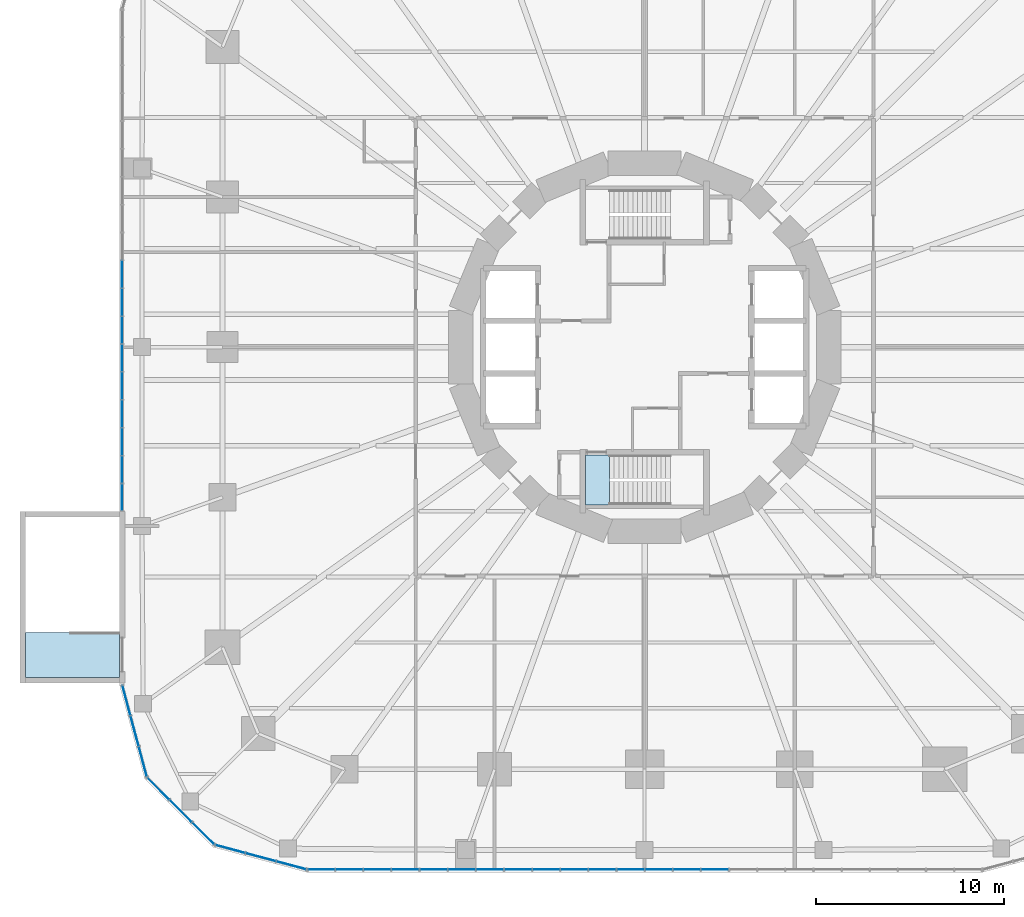
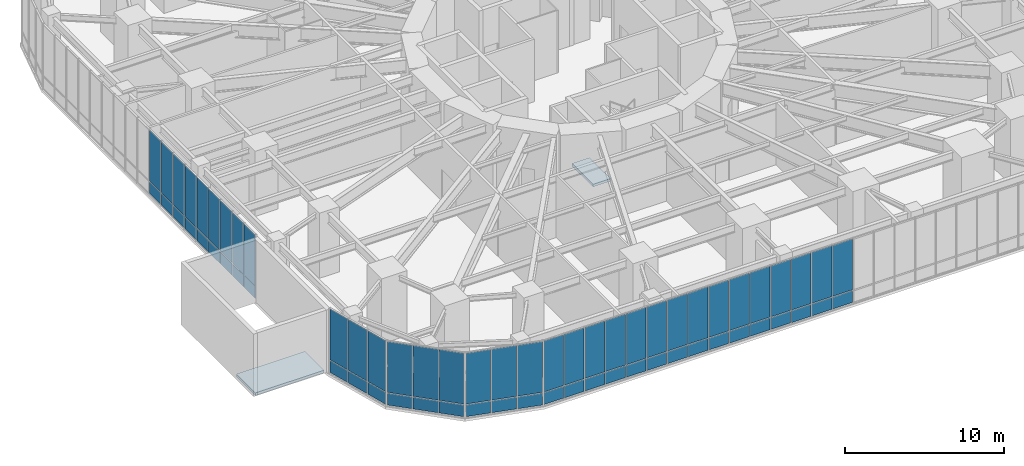
# One storey, part 17 of 24: 66 plates, 2 slabs, 6 elements without a shape of their own.
"""IFC4 building model written with IfcOpenShell, lengths in metres."""

from ifc_helpers import new_model, si_unit, direction, frame, origin, origin_2d, place, context, subcontext, project, spatial, polyline, rectangle, outline, extrude, material, layer, layer_set, type_object, element, aggregate, save


model = new_model("IFC4")

# Units and contexts
model_context = context("Model", 3, precision=1e-05, world=origin(), true_north=direction((0.0, 1.0)))
body_context = subcontext(model_context, "Body", "Model", "MODEL_VIEW")
ifc_project = project(units=[si_unit("LENGTHUNIT", "METRE"), si_unit("AREAUNIT", "SQUARE_METRE"), si_unit("VOLUMEUNIT", "CUBIC_METRE"), si_unit("PLANEANGLEUNIT", "RADIAN"), si_unit("MASSUNIT", "GRAM", prefix="KILO")], contexts=[model_context])

# Site, building, storey
site_placement = place(None, origin())
site = spatial("IfcSite", under=ifc_project, at=site_placement, CompositionType="ELEMENT")
building_placement = place(site_placement, origin())
building = spatial("IfcBuilding", under=site, at=building_placement, Name="Nakasero Lantern House", CompositionType="ELEMENT")
storey_placement = place(building_placement, frame((0.0, 0.0, 11.0)))
storey = spatial("IfcBuildingStorey", under=building, at=storey_placement, Name="L02", CompositionType="ELEMENT", Elevation=11.0)

# Curtain wall, plates
ifc_material_1 = material(Name="Aluminium 6063-T6 and glass", Category="aluminium")
curtain_wall_type = type_object("IfcCurtainWallType", Name="Podium curtain wall CW-2", PredefinedType="USERDEFINED", material=ifc_material_1)
curtain_wall_1_placement = place(storey_placement, origin())
curtain_wall_1 = element("IfcCurtainWall", 1, at=curtain_wall_1_placement, inside=storey, type_object=curtain_wall_type, Name="Curtain wall CW-2 L02", ObjectType="STICK CURTAIN WALL", PredefinedType="USERDEFINED")
ifc_material_2 = material(Name="Glass", Category="glass")
ifc_layer_1 = layer(ifc_material_2, 0.028076171875)
ifc_layer_set_1 = layer_set([ifc_layer_1], Name="Glazed panel CW-2")
plate_type = type_object("IfcPlateType", Name="Glazed panel CW-2", PredefinedType="CURTAIN_PANEL", material=ifc_layer_set_1)
plate_1_placement = place(storey_placement, frame((-27.85009765625, 3.8818359375, 0.06005859375), z_axis=(0.0, 0.0, 1.0), x_axis=(0.0, -1.0, 0.0)))
plate_1 = element("IfcPlate", 2, at=plate_1_placement, type_object=plate_type, Name="CW-2 panel 10.1", PredefinedType="CURTAIN_PANEL", context=body_context, shape_type="SweptSolid", body=[
    extrude(rectangle(XDim=1.426025390625, YDim=0.028076171875, at=origin_2d()), origin(), (0.0, 0.0, 1.0), 0.909912109375),
])
plate_2_placement = place(storey_placement, frame((-27.85009765625, 3.8818359375, 1.0302734375), z_axis=(0.0, 0.0, 1.0), x_axis=(0.0, -1.0, 0.0)))
plate_2 = element("IfcPlate", 3, at=plate_2_placement, type_object=plate_type, Name="CW-2 panel 10.2", PredefinedType="CURTAIN_PANEL", context=body_context, shape_type="SweptSolid", body=[
    extrude(rectangle(XDim=1.426025390625, YDim=0.028076171875, at=origin_2d()), origin(), (0.0, 0.0, 1.0), 3.909912109375),
])
plate_3_placement = place(storey_placement, frame((-27.85009765625, 2.395751953125, 0.06005859375), z_axis=(0.0, 0.0, 1.0), x_axis=(0.0, -1.0, 0.0)))
plate_3 = element("IfcPlate", 4, at=plate_3_placement, type_object=plate_type, Name="CW-2 panel 11.1", PredefinedType="CURTAIN_PANEL", context=body_context, shape_type="SweptSolid", body=[
    extrude(rectangle(XDim=1.426025390625, YDim=0.028076171875, at=origin_2d()), origin(), (0.0, 0.0, 1.0), 0.909912109375),
])
plate_4_placement = place(storey_placement, frame((-27.85009765625, 2.395751953125, 1.0302734375), z_axis=(0.0, 0.0, 1.0), x_axis=(0.0, -1.0, 0.0)))
plate_4 = element("IfcPlate", 5, at=plate_4_placement, type_object=plate_type, Name="CW-2 panel 11.2", PredefinedType="CURTAIN_PANEL", context=body_context, shape_type="SweptSolid", body=[
    extrude(rectangle(XDim=1.426025390625, YDim=0.028076171875, at=origin_2d()), origin(), (0.0, 0.0, 1.0), 3.909912109375),
])
plate_5_placement = place(storey_placement, frame((-27.85009765625, 0.90966796875, 0.06005859375), z_axis=(0.0, 0.0, 1.0), x_axis=(0.0, -1.0, 0.0)))
plate_5 = element("IfcPlate", 6, at=plate_5_placement, type_object=plate_type, Name="CW-2 panel 12.1", PredefinedType="CURTAIN_PANEL", context=body_context, shape_type="SweptSolid", body=[
    extrude(rectangle(XDim=1.426025390625, YDim=0.028076171875, at=origin_2d()), origin(), (0.0, 0.0, 1.0), 0.909912109375),
])
plate_6_placement = place(storey_placement, frame((-27.85009765625, 0.90966796875, 1.0302734375), z_axis=(0.0, 0.0, 1.0), x_axis=(0.0, -1.0, 0.0)))
plate_6 = element("IfcPlate", 7, at=plate_6_placement, type_object=plate_type, Name="CW-2 panel 12.2", PredefinedType="CURTAIN_PANEL", context=body_context, shape_type="SweptSolid", body=[
    extrude(rectangle(XDim=1.426025390625, YDim=0.028076171875, at=origin_2d()), origin(), (0.0, 0.0, 1.0), 3.909912109375),
])
plate_7_placement = place(storey_placement, frame((-27.85009765625, -0.576416015625, 0.06005859375), z_axis=(0.0, 0.0, 1.0), x_axis=(0.0, -1.0, 0.0)))
plate_7 = element("IfcPlate", 8, at=plate_7_placement, type_object=plate_type, Name="CW-2 panel 13.1", PredefinedType="CURTAIN_PANEL", context=body_context, shape_type="SweptSolid", body=[
    extrude(rectangle(XDim=1.426025390625, YDim=0.028076171875, at=origin_2d()), origin(), (0.0, 0.0, 1.0), 0.909912109375),
])
plate_8_placement = place(storey_placement, frame((-27.85009765625, -0.576416015625, 1.0302734375), z_axis=(0.0, 0.0, 1.0), x_axis=(0.0, -1.0, 0.0)))
plate_8 = element("IfcPlate", 9, at=plate_8_placement, type_object=plate_type, Name="CW-2 panel 13.2", PredefinedType="CURTAIN_PANEL", context=body_context, shape_type="SweptSolid", body=[
    extrude(rectangle(XDim=1.426025390625, YDim=0.028076171875, at=origin_2d()), origin(), (0.0, 0.0, 1.0), 3.909912109375),
])
plate_9_placement = place(storey_placement, frame((-27.85009765625, -2.0625, 0.06005859375), z_axis=(0.0, 0.0, 1.0), x_axis=(0.0, -1.0, 0.0)))
plate_9 = element("IfcPlate", 10, at=plate_9_placement, type_object=plate_type, Name="CW-2 panel 14.1", PredefinedType="CURTAIN_PANEL", context=body_context, shape_type="SweptSolid", body=[
    extrude(rectangle(XDim=1.426025390625, YDim=0.028076171875, at=origin_2d()), origin(), (0.0, 0.0, 1.0), 0.909912109375),
])
plate_10_placement = place(storey_placement, frame((-27.85009765625, -2.0625, 1.0302734375), z_axis=(0.0, 0.0, 1.0), x_axis=(0.0, -1.0, 0.0)))
plate_10 = element("IfcPlate", 11, at=plate_10_placement, type_object=plate_type, Name="CW-2 panel 14.2", PredefinedType="CURTAIN_PANEL", context=body_context, shape_type="SweptSolid", body=[
    extrude(rectangle(XDim=1.426025390625, YDim=0.028076171875, at=origin_2d()), origin(), (0.0, 0.0, 1.0), 3.909912109375),
])
plate_11_placement = place(storey_placement, frame((-27.85009765625, -3.548583984375, 0.06005859375), z_axis=(0.0, 0.0, 1.0), x_axis=(0.0, -1.0, 0.0)))
plate_11 = element("IfcPlate", 12, at=plate_11_placement, type_object=plate_type, Name="CW-2 panel 15.1", PredefinedType="CURTAIN_PANEL", context=body_context, shape_type="SweptSolid", body=[
    extrude(rectangle(XDim=1.426025390625, YDim=0.028076171875, at=origin_2d()), origin(), (0.0, 0.0, 1.0), 0.909912109375),
])
plate_12_placement = place(storey_placement, frame((-27.85009765625, -3.548583984375, 1.0302734375), z_axis=(0.0, 0.0, 1.0), x_axis=(0.0, -1.0, 0.0)))
plate_12 = element("IfcPlate", 13, at=plate_12_placement, type_object=plate_type, Name="CW-2 panel 15.2", PredefinedType="CURTAIN_PANEL", context=body_context, shape_type="SweptSolid", body=[
    extrude(rectangle(XDim=1.426025390625, YDim=0.028076171875, at=origin_2d()), origin(), (0.0, 0.0, 1.0), 3.909912109375),
])
plate_13_placement = place(storey_placement, frame((-27.85009765625, -5.03466796875, 0.06005859375), z_axis=(0.0, 0.0, 1.0), x_axis=(0.0, -1.0, 0.0)))
plate_13 = element("IfcPlate", 14, at=plate_13_placement, type_object=plate_type, Name="CW-2 panel 16.1", PredefinedType="CURTAIN_PANEL", context=body_context, shape_type="SweptSolid", body=[
    extrude(rectangle(XDim=1.426025390625, YDim=0.028076171875, at=origin_2d()), origin(), (0.0, 0.0, 1.0), 0.909912109375),
])
plate_14_placement = place(storey_placement, frame((-27.85009765625, -5.03466796875, 1.0302734375), z_axis=(0.0, 0.0, 1.0), x_axis=(0.0, -1.0, 0.0)))
plate_14 = element("IfcPlate", 15, at=plate_14_placement, type_object=plate_type, Name="CW-2 panel 16.2", PredefinedType="CURTAIN_PANEL", context=body_context, shape_type="SweptSolid", body=[
    extrude(rectangle(XDim=1.426025390625, YDim=0.028076171875, at=origin_2d()), origin(), (0.0, 0.0, 1.0), 3.909912109375),
])
plate_15_placement = place(storey_placement, frame((-27.85009765625, -6.520751953125, 0.06005859375), z_axis=(0.0, 0.0, 1.0), x_axis=(0.0, -1.0, 0.0)))
plate_15 = element("IfcPlate", 16, at=plate_15_placement, type_object=plate_type, Name="CW-2 panel 17.1", PredefinedType="CURTAIN_PANEL", context=body_context, shape_type="SweptSolid", body=[
    extrude(rectangle(XDim=1.426025390625, YDim=0.028076171875, at=origin_2d()), origin(), (0.0, 0.0, 1.0), 0.909912109375),
])
plate_16_placement = place(storey_placement, frame((-27.85009765625, -6.520751953125, 1.0302734375), z_axis=(0.0, 0.0, 1.0), x_axis=(0.0, -1.0, 0.0)))
plate_16 = element("IfcPlate", 17, at=plate_16_placement, type_object=plate_type, Name="CW-2 panel 17.2", PredefinedType="CURTAIN_PANEL", context=body_context, shape_type="SweptSolid", body=[
    extrude(rectangle(XDim=1.426025390625, YDim=0.028076171875, at=origin_2d()), origin(), (0.0, 0.0, 1.0), 3.909912109375),
])
plate_17_placement = place(storey_placement, frame((-27.85009765625, -7.991943359375, 0.06005859375), z_axis=(0.0, 0.0, 1.0), x_axis=(0.0, -1.0, 0.0)))
plate_17 = element("IfcPlate", 18, at=plate_17_placement, type_object=plate_type, Name="CW-2 panel 18.1", PredefinedType="CURTAIN_PANEL", context=body_context, shape_type="SweptSolid", body=[
    extrude(rectangle(XDim=1.39599609375, YDim=0.028076171875, at=origin_2d()), origin(), (0.0, 0.0, 1.0), 0.909912109375),
])
plate_18_placement = place(storey_placement, frame((-27.85009765625, -7.991943359375, 1.0302734375), z_axis=(0.0, 0.0, 1.0), x_axis=(0.0, -1.0, 0.0)))
plate_18 = element("IfcPlate", 19, at=plate_18_placement, type_object=plate_type, Name="CW-2 panel 18.2", PredefinedType="CURTAIN_PANEL", context=body_context, shape_type="SweptSolid", body=[
    extrude(rectangle(XDim=1.39599609375, YDim=0.028076171875, at=origin_2d()), origin(), (0.0, 0.0, 1.0), 3.909912109375),
])
aggregate(curtain_wall_1, [plate_1, plate_2, plate_3, plate_4, plate_5, plate_6, plate_7, plate_8, plate_9, plate_10, plate_11, plate_12, plate_13, plate_14, plate_15, plate_16, plate_17, plate_18])

curtain_wall_2_placement = place(storey_placement, origin())
curtain_wall_2 = element("IfcCurtainWall", 20, at=curtain_wall_2_placement, inside=storey, type_object=curtain_wall_type, Name="Curtain wall CW-2 L02", ObjectType="STICK CURTAIN WALL", PredefinedType="USERDEFINED")
plate_19_placement = place(storey_placement, frame((-27.626220703125, -18.835205078125, 0.06005859375), z_axis=(0.0, 0.0, 1.0), x_axis=(0.258819045153, -0.965925826276, 0.0)))
plate_19 = element("IfcPlate", 21, at=plate_19_placement, type_object=plate_type, Name="CW-2 panel 1.1", PredefinedType="CURTAIN_PANEL", context=body_context, shape_type="SweptSolid", body=[
    extrude(rectangle(XDim=1.609619140625, YDim=0.028076171875, at=origin_2d()), origin(), (0.0, 0.0, 1.0), 0.909912109375),
])
plate_20_placement = place(storey_placement, frame((-27.626220703125, -18.835205078125, 1.0302734375), z_axis=(0.0, 0.0, 1.0), x_axis=(0.258819045153, -0.965925826276, 0.0)))
plate_20 = element("IfcPlate", 22, at=plate_20_placement, type_object=plate_type, Name="CW-2 panel 1.2", PredefinedType="CURTAIN_PANEL", context=body_context, shape_type="SweptSolid", body=[
    extrude(rectangle(XDim=1.609619140625, YDim=0.028076171875, at=origin_2d()), origin(), (0.0, 0.0, 1.0), 3.909912109375),
])
plate_21_placement = place(storey_placement, frame((-27.190185546875, -20.46240234375, 0.06005859375), z_axis=(0.0, 0.0, 1.0), x_axis=(0.258819045153, -0.965925826276, 0.0)))
plate_21 = element("IfcPlate", 23, at=plate_21_placement, type_object=plate_type, Name="CW-2 panel 2.1", PredefinedType="CURTAIN_PANEL", context=body_context, shape_type="SweptSolid", body=[
    extrude(rectangle(XDim=1.6396484375, YDim=0.028076171875, at=origin_2d()), origin(), (0.0, 0.0, 1.0), 0.909912109375),
])
plate_22_placement = place(storey_placement, frame((-27.190185546875, -20.46240234375, 1.0302734375), z_axis=(0.0, 0.0, 1.0), x_axis=(0.258819045153, -0.965925826276, 0.0)))
plate_22 = element("IfcPlate", 24, at=plate_22_placement, type_object=plate_type, Name="CW-2 panel 2.2", PredefinedType="CURTAIN_PANEL", context=body_context, shape_type="SweptSolid", body=[
    extrude(rectangle(XDim=1.6396484375, YDim=0.028076171875, at=origin_2d()), origin(), (0.0, 0.0, 1.0), 3.909912109375),
])
plate_23_placement = place(storey_placement, frame((-26.754150390625, -22.089599609375, 0.06005859375), z_axis=(0.0, 0.0, 1.0), x_axis=(0.258819045153, -0.965925826276, 0.0)))
plate_23 = element("IfcPlate", 25, at=plate_23_placement, type_object=plate_type, Name="CW-2 panel 3.1", PredefinedType="CURTAIN_PANEL", context=body_context, shape_type="SweptSolid", body=[
    extrude(rectangle(XDim=1.609619140625, YDim=0.028076171875, at=origin_2d()), origin(), (0.0, 0.0, 1.0), 0.909912109375),
])
plate_24_placement = place(storey_placement, frame((-26.754150390625, -22.089599609375, 1.0302734375), z_axis=(0.0, 0.0, 1.0), x_axis=(0.258819045153, -0.965925826276, 0.0)))
plate_24 = element("IfcPlate", 26, at=plate_24_placement, type_object=plate_type, Name="CW-2 panel 3.2", PredefinedType="CURTAIN_PANEL", context=body_context, shape_type="SweptSolid", body=[
    extrude(rectangle(XDim=1.609619140625, YDim=0.028076171875, at=origin_2d()), origin(), (0.0, 0.0, 1.0), 3.909912109375),
])
aggregate(curtain_wall_2, [plate_19, plate_20, plate_21, plate_22, plate_23, plate_24])

curtain_wall_3_placement = place(storey_placement, origin())
curtain_wall_3 = element("IfcCurtainWall", 27, at=curtain_wall_3_placement, inside=storey, type_object=curtain_wall_type, Name="Curtain wall CW-2 L02", ObjectType="STICK CURTAIN WALL", PredefinedType="USERDEFINED")
plate_25_placement = place(storey_placement, frame((-25.9189453125, -23.536376953125, 0.06005859375), z_axis=(0.0, 0.0, 1.0), x_axis=(0.707106781187, -0.707106781187, 0.0)))
plate_25 = element("IfcPlate", 28, at=plate_25_placement, type_object=plate_type, Name="CW-2 panel 1.1", PredefinedType="CURTAIN_PANEL", context=body_context, shape_type="SweptSolid", body=[
    extrude(rectangle(XDim=1.609619140625, YDim=0.028076171875, at=origin_2d()), origin(), (0.0, 0.0, 1.0), 0.909912109375),
])
plate_26_placement = place(storey_placement, frame((-25.9189453125, -23.536376953125, 1.0302734375), z_axis=(0.0, 0.0, 1.0), x_axis=(0.707106781187, -0.707106781187, 0.0)))
plate_26 = element("IfcPlate", 29, at=plate_26_placement, type_object=plate_type, Name="CW-2 panel 1.2", PredefinedType="CURTAIN_PANEL", context=body_context, shape_type="SweptSolid", body=[
    extrude(rectangle(XDim=1.609619140625, YDim=0.028076171875, at=origin_2d()), origin(), (0.0, 0.0, 1.0), 3.909912109375),
])
plate_27_placement = place(storey_placement, frame((-24.727783203125, -24.727783203125, 0.06005859375), z_axis=(0.0, 0.0, 1.0), x_axis=(0.707106781187, -0.707106781187, 0.0)))
plate_27 = element("IfcPlate", 30, at=plate_27_placement, type_object=plate_type, Name="CW-2 panel 2.1", PredefinedType="CURTAIN_PANEL", context=body_context, shape_type="SweptSolid", body=[
    extrude(rectangle(XDim=1.6396484375, YDim=0.028076171875, at=origin_2d()), origin(), (0.0, 0.0, 1.0), 0.909912109375),
])
plate_28_placement = place(storey_placement, frame((-24.727783203125, -24.727783203125, 1.0302734375), z_axis=(0.0, 0.0, 1.0), x_axis=(0.707106781187, -0.707106781187, 0.0)))
plate_28 = element("IfcPlate", 31, at=plate_28_placement, type_object=plate_type, Name="CW-2 panel 2.2", PredefinedType="CURTAIN_PANEL", context=body_context, shape_type="SweptSolid", body=[
    extrude(rectangle(XDim=1.6396484375, YDim=0.028076171875, at=origin_2d()), origin(), (0.0, 0.0, 1.0), 3.909912109375),
])
plate_29_placement = place(storey_placement, frame((-23.536376953125, -25.9189453125, 0.06005859375), z_axis=(0.0, 0.0, 1.0), x_axis=(0.707106781187, -0.707106781187, 0.0)))
plate_29 = element("IfcPlate", 32, at=plate_29_placement, type_object=plate_type, Name="CW-2 panel 3.1", PredefinedType="CURTAIN_PANEL", context=body_context, shape_type="SweptSolid", body=[
    extrude(rectangle(XDim=1.609619140625, YDim=0.028076171875, at=origin_2d()), origin(), (0.0, 0.0, 1.0), 0.909912109375),
])
plate_30_placement = place(storey_placement, frame((-23.536376953125, -25.9189453125, 1.0302734375), z_axis=(0.0, 0.0, 1.0), x_axis=(0.707106781187, -0.707106781187, 0.0)))
plate_30 = element("IfcPlate", 33, at=plate_30_placement, type_object=plate_type, Name="CW-2 panel 3.2", PredefinedType="CURTAIN_PANEL", context=body_context, shape_type="SweptSolid", body=[
    extrude(rectangle(XDim=1.609619140625, YDim=0.028076171875, at=origin_2d()), origin(), (0.0, 0.0, 1.0), 3.909912109375),
])
aggregate(curtain_wall_3, [plate_25, plate_26, plate_27, plate_28, plate_29, plate_30])

curtain_wall_4_placement = place(storey_placement, origin())
curtain_wall_4 = element("IfcCurtainWall", 34, at=curtain_wall_4_placement, inside=storey, type_object=curtain_wall_type, Name="Curtain wall CW-2 L02", ObjectType="STICK CURTAIN WALL", PredefinedType="USERDEFINED")
plate_31_placement = place(storey_placement, frame((-22.089599609375, -26.754150390625, 0.06005859375), z_axis=(0.0, 0.0, 1.0), x_axis=(0.965925826276, -0.258819045153, 0.0)))
plate_31 = element("IfcPlate", 35, at=plate_31_placement, type_object=plate_type, Name="CW-2 panel 1.1", PredefinedType="CURTAIN_PANEL", context=body_context, shape_type="SweptSolid", body=[
    extrude(rectangle(XDim=1.609619140625, YDim=0.028076171875, at=origin_2d()), origin(), (0.0, 0.0, 1.0), 0.909912109375),
])
plate_32_placement = place(storey_placement, frame((-22.089599609375, -26.754150390625, 1.0302734375), z_axis=(0.0, 0.0, 1.0), x_axis=(0.965925826276, -0.258819045153, 0.0)))
plate_32 = element("IfcPlate", 36, at=plate_32_placement, type_object=plate_type, Name="CW-2 panel 1.2", PredefinedType="CURTAIN_PANEL", context=body_context, shape_type="SweptSolid", body=[
    extrude(rectangle(XDim=1.609619140625, YDim=0.028076171875, at=origin_2d()), origin(), (0.0, 0.0, 1.0), 3.909912109375),
])
plate_33_placement = place(storey_placement, frame((-20.46240234375, -27.190185546875, 0.06005859375), z_axis=(0.0, 0.0, 1.0), x_axis=(0.965925826276, -0.258819045153, 0.0)))
plate_33 = element("IfcPlate", 37, at=plate_33_placement, type_object=plate_type, Name="CW-2 panel 2.1", PredefinedType="CURTAIN_PANEL", context=body_context, shape_type="SweptSolid", body=[
    extrude(rectangle(XDim=1.6396484375, YDim=0.028076171875, at=origin_2d()), origin(), (0.0, 0.0, 1.0), 0.909912109375),
])
plate_34_placement = place(storey_placement, frame((-20.46240234375, -27.190185546875, 1.0302734375), z_axis=(0.0, 0.0, 1.0), x_axis=(0.965925826276, -0.258819045153, 0.0)))
plate_34 = element("IfcPlate", 38, at=plate_34_placement, type_object=plate_type, Name="CW-2 panel 2.2", PredefinedType="CURTAIN_PANEL", context=body_context, shape_type="SweptSolid", body=[
    extrude(rectangle(XDim=1.6396484375, YDim=0.028076171875, at=origin_2d()), origin(), (0.0, 0.0, 1.0), 3.909912109375),
])
plate_35_placement = place(storey_placement, frame((-18.835205078125, -27.626220703125, 0.06005859375), z_axis=(0.0, 0.0, 1.0), x_axis=(0.965925826276, -0.258819045153, 0.0)))
plate_35 = element("IfcPlate", 39, at=plate_35_placement, type_object=plate_type, Name="CW-2 panel 3.1", PredefinedType="CURTAIN_PANEL", context=body_context, shape_type="SweptSolid", body=[
    extrude(rectangle(XDim=1.609619140625, YDim=0.028076171875, at=origin_2d()), origin(), (0.0, 0.0, 1.0), 0.909912109375),
])
plate_36_placement = place(storey_placement, frame((-18.835205078125, -27.626220703125, 1.0302734375), z_axis=(0.0, 0.0, 1.0), x_axis=(0.965925826276, -0.258819045153, 0.0)))
plate_36 = element("IfcPlate", 40, at=plate_36_placement, type_object=plate_type, Name="CW-2 panel 3.2", PredefinedType="CURTAIN_PANEL", context=body_context, shape_type="SweptSolid", body=[
    extrude(rectangle(XDim=1.609619140625, YDim=0.028076171875, at=origin_2d()), origin(), (0.0, 0.0, 1.0), 3.909912109375),
])
aggregate(curtain_wall_4, [plate_31, plate_32, plate_33, plate_34, plate_35, plate_36])

curtain_wall_5_placement = place(storey_placement, origin())
curtain_wall_5 = element("IfcCurtainWall", 41, at=curtain_wall_5_placement, inside=storey, type_object=curtain_wall_type, Name="Curtain wall CW-2 L02", ObjectType="STICK CURTAIN WALL", PredefinedType="USERDEFINED")
plate_37_placement = place(storey_placement, frame((-17.235107421875, -27.85009765625, 0.06005859375), z_axis=(0.0, 0.0, 1.0), x_axis=(1.0, 0.0, 0.0)))
plate_37 = element("IfcPlate", 42, at=plate_37_placement, type_object=plate_type, Name="CW-2 panel 1.1", PredefinedType="CURTAIN_PANEL", context=body_context, shape_type="SweptSolid", body=[
    extrude(rectangle(XDim=1.409912109375, YDim=0.028076171875, at=origin_2d()), origin(), (0.0, 0.0, 1.0), 0.909912109375),
])
plate_38_placement = place(storey_placement, frame((-17.235107421875, -27.85009765625, 1.0302734375), z_axis=(0.0, 0.0, 1.0), x_axis=(1.0, 0.0, 0.0)))
plate_38 = element("IfcPlate", 43, at=plate_38_placement, type_object=plate_type, Name="CW-2 panel 1.2", PredefinedType="CURTAIN_PANEL", context=body_context, shape_type="SweptSolid", body=[
    extrude(rectangle(XDim=1.409912109375, YDim=0.028076171875, at=origin_2d()), origin(), (0.0, 0.0, 1.0), 3.909912109375),
])
plate_39_placement = place(storey_placement, frame((-15.75, -27.85009765625, 0.06005859375), z_axis=(0.0, 0.0, 1.0), x_axis=(1.0, 0.0, 0.0)))
plate_39 = element("IfcPlate", 44, at=plate_39_placement, type_object=plate_type, Name="CW-2 panel 2.1", PredefinedType="CURTAIN_PANEL", context=body_context, shape_type="SweptSolid", body=[
    extrude(rectangle(XDim=1.43994140625, YDim=0.028076171875, at=origin_2d()), origin(), (0.0, 0.0, 1.0), 0.909912109375),
])
plate_40_placement = place(storey_placement, frame((-15.75, -27.85009765625, 1.0302734375), z_axis=(0.0, 0.0, 1.0), x_axis=(1.0, 0.0, 0.0)))
plate_40 = element("IfcPlate", 45, at=plate_40_placement, type_object=plate_type, Name="CW-2 panel 2.2", PredefinedType="CURTAIN_PANEL", context=body_context, shape_type="SweptSolid", body=[
    extrude(rectangle(XDim=1.43994140625, YDim=0.028076171875, at=origin_2d()), origin(), (0.0, 0.0, 1.0), 3.909912109375),
])
plate_41_placement = place(storey_placement, frame((-14.25, -27.85009765625, 0.06005859375), z_axis=(0.0, 0.0, 1.0), x_axis=(1.0, 0.0, 0.0)))
plate_41 = element("IfcPlate", 46, at=plate_41_placement, type_object=plate_type, Name="CW-2 panel 3.1", PredefinedType="CURTAIN_PANEL", context=body_context, shape_type="SweptSolid", body=[
    extrude(rectangle(XDim=1.43994140625, YDim=0.028076171875, at=origin_2d()), origin(), (0.0, 0.0, 1.0), 0.909912109375),
])
plate_42_placement = place(storey_placement, frame((-14.25, -27.85009765625, 1.0302734375), z_axis=(0.0, 0.0, 1.0), x_axis=(1.0, 0.0, 0.0)))
plate_42 = element("IfcPlate", 47, at=plate_42_placement, type_object=plate_type, Name="CW-2 panel 3.2", PredefinedType="CURTAIN_PANEL", context=body_context, shape_type="SweptSolid", body=[
    extrude(rectangle(XDim=1.43994140625, YDim=0.028076171875, at=origin_2d()), origin(), (0.0, 0.0, 1.0), 3.909912109375),
])
plate_43_placement = place(storey_placement, frame((-12.75, -27.85009765625, 0.06005859375), z_axis=(0.0, 0.0, 1.0), x_axis=(1.0, 0.0, 0.0)))
plate_43 = element("IfcPlate", 48, at=plate_43_placement, type_object=plate_type, Name="CW-2 panel 4.1", PredefinedType="CURTAIN_PANEL", context=body_context, shape_type="SweptSolid", body=[
    extrude(rectangle(XDim=1.43994140625, YDim=0.028076171875, at=origin_2d()), origin(), (0.0, 0.0, 1.0), 0.909912109375),
])
plate_44_placement = place(storey_placement, frame((-12.75, -27.85009765625, 1.0302734375), z_axis=(0.0, 0.0, 1.0), x_axis=(1.0, 0.0, 0.0)))
plate_44 = element("IfcPlate", 49, at=plate_44_placement, type_object=plate_type, Name="CW-2 panel 4.2", PredefinedType="CURTAIN_PANEL", context=body_context, shape_type="SweptSolid", body=[
    extrude(rectangle(XDim=1.43994140625, YDim=0.028076171875, at=origin_2d()), origin(), (0.0, 0.0, 1.0), 3.909912109375),
])
plate_45_placement = place(storey_placement, frame((-11.25, -27.85009765625, 0.06005859375), z_axis=(0.0, 0.0, 1.0), x_axis=(1.0, 0.0, 0.0)))
plate_45 = element("IfcPlate", 50, at=plate_45_placement, type_object=plate_type, Name="CW-2 panel 5.1", PredefinedType="CURTAIN_PANEL", context=body_context, shape_type="SweptSolid", body=[
    extrude(rectangle(XDim=1.43994140625, YDim=0.028076171875, at=origin_2d()), origin(), (0.0, 0.0, 1.0), 0.909912109375),
])
plate_46_placement = place(storey_placement, frame((-11.25, -27.85009765625, 1.0302734375), z_axis=(0.0, 0.0, 1.0), x_axis=(1.0, 0.0, 0.0)))
plate_46 = element("IfcPlate", 51, at=plate_46_placement, type_object=plate_type, Name="CW-2 panel 5.2", PredefinedType="CURTAIN_PANEL", context=body_context, shape_type="SweptSolid", body=[
    extrude(rectangle(XDim=1.43994140625, YDim=0.028076171875, at=origin_2d()), origin(), (0.0, 0.0, 1.0), 3.909912109375),
])
plate_47_placement = place(storey_placement, frame((-9.75, -27.85009765625, 0.06005859375), z_axis=(0.0, 0.0, 1.0), x_axis=(1.0, 0.0, 0.0)))
plate_47 = element("IfcPlate", 52, at=plate_47_placement, type_object=plate_type, Name="CW-2 panel 6.1", PredefinedType="CURTAIN_PANEL", context=body_context, shape_type="SweptSolid", body=[
    extrude(rectangle(XDim=1.43994140625, YDim=0.028076171875, at=origin_2d()), origin(), (0.0, 0.0, 1.0), 0.909912109375),
])
plate_48_placement = place(storey_placement, frame((-9.75, -27.85009765625, 1.0302734375), z_axis=(0.0, 0.0, 1.0), x_axis=(1.0, 0.0, 0.0)))
plate_48 = element("IfcPlate", 53, at=plate_48_placement, type_object=plate_type, Name="CW-2 panel 6.2", PredefinedType="CURTAIN_PANEL", context=body_context, shape_type="SweptSolid", body=[
    extrude(rectangle(XDim=1.43994140625, YDim=0.028076171875, at=origin_2d()), origin(), (0.0, 0.0, 1.0), 3.909912109375),
])
plate_49_placement = place(storey_placement, frame((-8.25, -27.85009765625, 0.06005859375), z_axis=(0.0, 0.0, 1.0), x_axis=(1.0, 0.0, 0.0)))
plate_49 = element("IfcPlate", 54, at=plate_49_placement, type_object=plate_type, Name="CW-2 panel 7.1", PredefinedType="CURTAIN_PANEL", context=body_context, shape_type="SweptSolid", body=[
    extrude(rectangle(XDim=1.43994140625, YDim=0.028076171875, at=origin_2d()), origin(), (0.0, 0.0, 1.0), 0.909912109375),
])
plate_50_placement = place(storey_placement, frame((-8.25, -27.85009765625, 1.0302734375), z_axis=(0.0, 0.0, 1.0), x_axis=(1.0, 0.0, 0.0)))
plate_50 = element("IfcPlate", 55, at=plate_50_placement, type_object=plate_type, Name="CW-2 panel 7.2", PredefinedType="CURTAIN_PANEL", context=body_context, shape_type="SweptSolid", body=[
    extrude(rectangle(XDim=1.43994140625, YDim=0.028076171875, at=origin_2d()), origin(), (0.0, 0.0, 1.0), 3.909912109375),
])
plate_51_placement = place(storey_placement, frame((-6.75, -27.85009765625, 0.06005859375), z_axis=(0.0, 0.0, 1.0), x_axis=(1.0, 0.0, 0.0)))
plate_51 = element("IfcPlate", 56, at=plate_51_placement, type_object=plate_type, Name="CW-2 panel 8.1", PredefinedType="CURTAIN_PANEL", context=body_context, shape_type="SweptSolid", body=[
    extrude(rectangle(XDim=1.43994140625, YDim=0.028076171875, at=origin_2d()), origin(), (0.0, 0.0, 1.0), 0.909912109375),
])
plate_52_placement = place(storey_placement, frame((-6.75, -27.85009765625, 1.0302734375), z_axis=(0.0, 0.0, 1.0), x_axis=(1.0, 0.0, 0.0)))
plate_52 = element("IfcPlate", 57, at=plate_52_placement, type_object=plate_type, Name="CW-2 panel 8.2", PredefinedType="CURTAIN_PANEL", context=body_context, shape_type="SweptSolid", body=[
    extrude(rectangle(XDim=1.43994140625, YDim=0.028076171875, at=origin_2d()), origin(), (0.0, 0.0, 1.0), 3.909912109375),
])
plate_53_placement = place(storey_placement, frame((-5.25, -27.85009765625, 0.06005859375), z_axis=(0.0, 0.0, 1.0), x_axis=(1.0, 0.0, 0.0)))
plate_53 = element("IfcPlate", 58, at=plate_53_placement, type_object=plate_type, Name="CW-2 panel 9.1", PredefinedType="CURTAIN_PANEL", context=body_context, shape_type="SweptSolid", body=[
    extrude(rectangle(XDim=1.43994140625, YDim=0.028076171875, at=origin_2d()), origin(), (0.0, 0.0, 1.0), 0.909912109375),
])
plate_54_placement = place(storey_placement, frame((-5.25, -27.85009765625, 1.0302734375), z_axis=(0.0, 0.0, 1.0), x_axis=(1.0, 0.0, 0.0)))
plate_54 = element("IfcPlate", 59, at=plate_54_placement, type_object=plate_type, Name="CW-2 panel 9.2", PredefinedType="CURTAIN_PANEL", context=body_context, shape_type="SweptSolid", body=[
    extrude(rectangle(XDim=1.43994140625, YDim=0.028076171875, at=origin_2d()), origin(), (0.0, 0.0, 1.0), 3.909912109375),
])
plate_55_placement = place(storey_placement, frame((-3.75, -27.85009765625, 0.06005859375), z_axis=(0.0, 0.0, 1.0), x_axis=(1.0, 0.0, 0.0)))
plate_55 = element("IfcPlate", 60, at=plate_55_placement, type_object=plate_type, Name="CW-2 panel 10.1", PredefinedType="CURTAIN_PANEL", context=body_context, shape_type="SweptSolid", body=[
    extrude(rectangle(XDim=1.43994140625, YDim=0.028076171875, at=origin_2d()), origin(), (0.0, 0.0, 1.0), 0.909912109375),
])
plate_56_placement = place(storey_placement, frame((-3.75, -27.85009765625, 1.0302734375), z_axis=(0.0, 0.0, 1.0), x_axis=(1.0, 0.0, 0.0)))
plate_56 = element("IfcPlate", 61, at=plate_56_placement, type_object=plate_type, Name="CW-2 panel 10.2", PredefinedType="CURTAIN_PANEL", context=body_context, shape_type="SweptSolid", body=[
    extrude(rectangle(XDim=1.43994140625, YDim=0.028076171875, at=origin_2d()), origin(), (0.0, 0.0, 1.0), 3.909912109375),
])
plate_57_placement = place(storey_placement, frame((-2.25, -27.85009765625, 0.06005859375), z_axis=(0.0, 0.0, 1.0), x_axis=(1.0, 0.0, 0.0)))
plate_57 = element("IfcPlate", 62, at=plate_57_placement, type_object=plate_type, Name="CW-2 panel 11.1", PredefinedType="CURTAIN_PANEL", context=body_context, shape_type="SweptSolid", body=[
    extrude(rectangle(XDim=1.43994140625, YDim=0.028076171875, at=origin_2d()), origin(), (0.0, 0.0, 1.0), 0.909912109375),
])
plate_58_placement = place(storey_placement, frame((-2.25, -27.85009765625, 1.0302734375), z_axis=(0.0, 0.0, 1.0), x_axis=(1.0, 0.0, 0.0)))
plate_58 = element("IfcPlate", 63, at=plate_58_placement, type_object=plate_type, Name="CW-2 panel 11.2", PredefinedType="CURTAIN_PANEL", context=body_context, shape_type="SweptSolid", body=[
    extrude(rectangle(XDim=1.43994140625, YDim=0.028076171875, at=origin_2d()), origin(), (0.0, 0.0, 1.0), 3.909912109375),
])
plate_59_placement = place(storey_placement, frame((-0.75, -27.85009765625, 0.06005859375), z_axis=(0.0, 0.0, 1.0), x_axis=(1.0, 0.0, 0.0)))
plate_59 = element("IfcPlate", 64, at=plate_59_placement, type_object=plate_type, Name="CW-2 panel 12.1", PredefinedType="CURTAIN_PANEL", context=body_context, shape_type="SweptSolid", body=[
    extrude(rectangle(XDim=1.43994140625, YDim=0.028076171875, at=origin_2d()), origin(), (0.0, 0.0, 1.0), 0.909912109375),
])
plate_60_placement = place(storey_placement, frame((-0.75, -27.85009765625, 1.0302734375), z_axis=(0.0, 0.0, 1.0), x_axis=(1.0, 0.0, 0.0)))
plate_60 = element("IfcPlate", 65, at=plate_60_placement, type_object=plate_type, Name="CW-2 panel 12.2", PredefinedType="CURTAIN_PANEL", context=body_context, shape_type="SweptSolid", body=[
    extrude(rectangle(XDim=1.43994140625, YDim=0.028076171875, at=origin_2d()), origin(), (0.0, 0.0, 1.0), 3.909912109375),
])
plate_61_placement = place(storey_placement, frame((0.75, -27.85009765625, 0.06005859375), z_axis=(0.0, 0.0, 1.0), x_axis=(1.0, 0.0, 0.0)))
plate_61 = element("IfcPlate", 66, at=plate_61_placement, type_object=plate_type, Name="CW-2 panel 13.1", PredefinedType="CURTAIN_PANEL", context=body_context, shape_type="SweptSolid", body=[
    extrude(rectangle(XDim=1.43994140625, YDim=0.028076171875, at=origin_2d()), origin(), (0.0, 0.0, 1.0), 0.909912109375),
])
plate_62_placement = place(storey_placement, frame((0.75, -27.85009765625, 1.0302734375), z_axis=(0.0, 0.0, 1.0), x_axis=(1.0, 0.0, 0.0)))
plate_62 = element("IfcPlate", 67, at=plate_62_placement, type_object=plate_type, Name="CW-2 panel 13.2", PredefinedType="CURTAIN_PANEL", context=body_context, shape_type="SweptSolid", body=[
    extrude(rectangle(XDim=1.43994140625, YDim=0.028076171875, at=origin_2d()), origin(), (0.0, 0.0, 1.0), 3.909912109375),
])
plate_63_placement = place(storey_placement, frame((2.25, -27.85009765625, 0.06005859375), z_axis=(0.0, 0.0, 1.0), x_axis=(1.0, 0.0, 0.0)))
plate_63 = element("IfcPlate", 68, at=plate_63_placement, type_object=plate_type, Name="CW-2 panel 14.1", PredefinedType="CURTAIN_PANEL", context=body_context, shape_type="SweptSolid", body=[
    extrude(rectangle(XDim=1.43994140625, YDim=0.028076171875, at=origin_2d()), origin(), (0.0, 0.0, 1.0), 0.909912109375),
])
plate_64_placement = place(storey_placement, frame((2.25, -27.85009765625, 1.0302734375), z_axis=(0.0, 0.0, 1.0), x_axis=(1.0, 0.0, 0.0)))
plate_64 = element("IfcPlate", 69, at=plate_64_placement, type_object=plate_type, Name="CW-2 panel 14.2", PredefinedType="CURTAIN_PANEL", context=body_context, shape_type="SweptSolid", body=[
    extrude(rectangle(XDim=1.43994140625, YDim=0.028076171875, at=origin_2d()), origin(), (0.0, 0.0, 1.0), 3.909912109375),
])
plate_65_placement = place(storey_placement, frame((3.75, -27.85009765625, 0.06005859375), z_axis=(0.0, 0.0, 1.0), x_axis=(1.0, 0.0, 0.0)))
plate_65 = element("IfcPlate", 70, at=plate_65_placement, type_object=plate_type, Name="CW-2 panel 15.1", PredefinedType="CURTAIN_PANEL", context=body_context, shape_type="SweptSolid", body=[
    extrude(rectangle(XDim=1.43994140625, YDim=0.028076171875, at=origin_2d()), origin(), (0.0, 0.0, 1.0), 0.909912109375),
])
plate_66_placement = place(storey_placement, frame((3.75, -27.85009765625, 1.0302734375), z_axis=(0.0, 0.0, 1.0), x_axis=(1.0, 0.0, 0.0)))
plate_66 = element("IfcPlate", 71, at=plate_66_placement, type_object=plate_type, Name="CW-2 panel 15.2", PredefinedType="CURTAIN_PANEL", context=body_context, shape_type="SweptSolid", body=[
    extrude(rectangle(XDim=1.43994140625, YDim=0.028076171875, at=origin_2d()), origin(), (0.0, 0.0, 1.0), 3.909912109375),
])
aggregate(curtain_wall_5, [plate_37, plate_38, plate_39, plate_40, plate_41, plate_42, plate_43, plate_44, plate_45, plate_46, plate_47, plate_48, plate_49, plate_50, plate_51, plate_52, plate_53, plate_54, plate_55, plate_56, plate_57, plate_58, plate_59, plate_60, plate_61, plate_62, plate_63, plate_64, plate_65, plate_66])

# Stair, slab
ifc_material_3 = material(Name="Concrete C40/50", Category="concrete")
stair_type = type_object("IfcStairType", Name="Escape stair ST2 28 risers", PredefinedType="HALF_TURN_STAIR", material=ifc_material_3)
stair_placement = place(storey_placement, origin())
stair = element("IfcStair", 72, at=stair_placement, inside=storey, type_object=stair_type, Name="Escape stair ST2 L02", PredefinedType="HALF_TURN_STAIR")
ifc_material_4 = material(Name="Concrete C40/50", Category="concrete")
ifc_layer_2 = layer(ifc_material_4, 0.199951171875)
ifc_layer_set_2 = layer_set([ifc_layer_2], Name="Stair landing 200")
slab_type = type_object("IfcSlabType", Name="Stair landing 200", PredefinedType="LANDING", material=ifc_layer_set_2)
slab_1_placement = place(storey_placement, frame((0.0, 0.0, -0.199951171875)))
slab_1 = element("IfcSlab", 73, at=slab_1_placement, type_object=slab_type, Name="ST2 landing 1", PredefinedType="LANDING", context=body_context, shape_type="SweptSolid", body=[
    extrude(outline(polyline([(-3.14990234375, -8.39990234375), (-1.875, -8.39990234375), (-1.875, -5.75), (-3.14990234375, -5.75), (-3.14990234375, -8.39990234375)])), origin(), (0.0, 0.0, 1.0), 0.199951171875),
])
aggregate(stair, [slab_1])

# Slab
slab_2_placement = place(storey_placement, frame((0.0, 0.0, -0.199951171875)))
element("IfcSlab", 74, at=slab_2_placement, inside=storey, type_object=slab_type, Name="Top landing PS2", PredefinedType="LANDING", context=body_context, shape_type="SweptSolid", body=[
    extrude(outline(polyline([(-28.0, -15.199951171875), (-33.0, -15.199951171875), (-33.0, -17.60009765625), (-28.0, -17.60009765625), (-28.0, -15.199951171875)])), origin(), (0.0, 0.0, 1.0), 0.199951171875),
])

save(model, "model.ifc")
